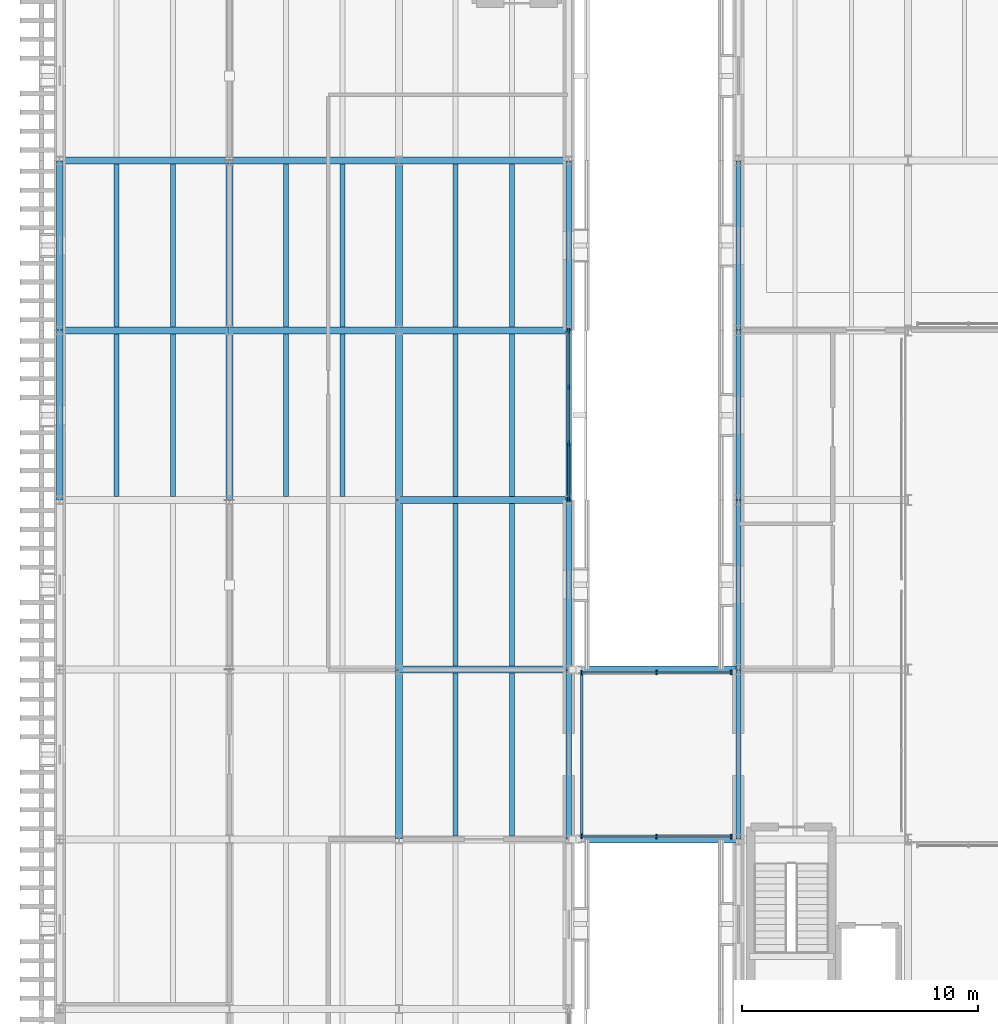
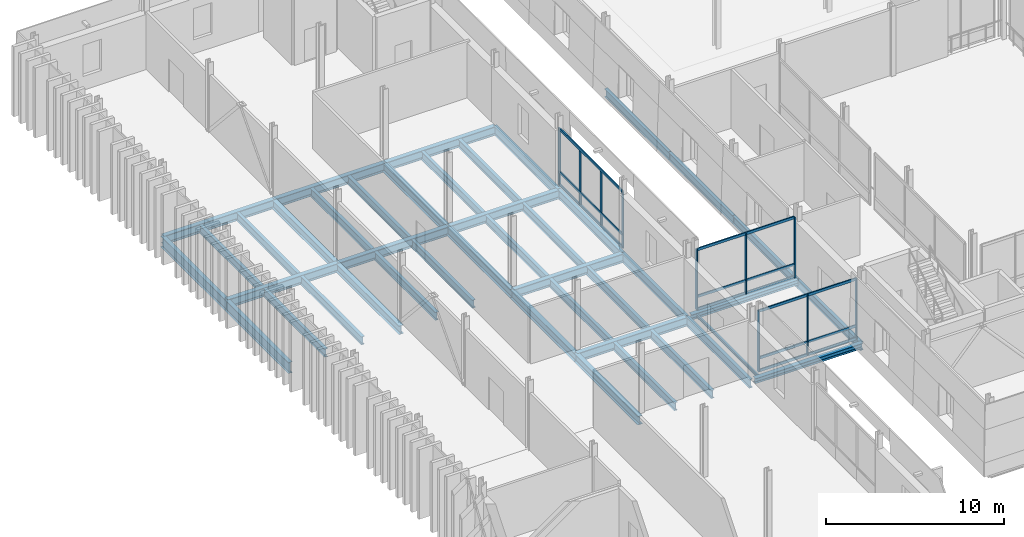
# One storey, part 27 of 121: 43 beams, 19 members, 3 elements without a shape of their own.
"""IFC4 building model written with IfcOpenShell, lengths in metres."""

from ifc_helpers import new_model, si_unit, direction, frame, origin, origin_2d, place, context, subcontext, project, spatial, rectangle, i_section, extrude, material, layer, layer_set, material_profile, profile_set, type_object, element, aggregate, save


model = new_model("IFC4")

# Units and contexts
model_context = context("Model", 3, precision=1e-05, world=origin(), true_north=direction((0.0, 1.0)))
body_context = subcontext(model_context, "Body", "Model", "MODEL_VIEW")
ifc_project = project(units=[si_unit("LENGTHUNIT", "METRE"), si_unit("AREAUNIT", "SQUARE_METRE"), si_unit("VOLUMEUNIT", "CUBIC_METRE"), si_unit("PLANEANGLEUNIT", "RADIAN"), si_unit("MASSUNIT", "GRAM", prefix="KILO")], contexts=[model_context])

# Site, building, storey
site_placement = place(None, origin())
site = spatial("IfcSite", under=ifc_project, at=site_placement, CompositionType="ELEMENT")
building_placement = place(site_placement, origin())
building = spatial("IfcBuilding", under=site, at=building_placement, Name="Narikvali Park Central Library", CompositionType="ELEMENT")
storey_placement = place(building_placement, frame((0.0, 0.0, 5.39990234375)))
storey = spatial("IfcBuildingStorey", under=building, at=storey_placement, Name="L01", CompositionType="ELEMENT", Elevation=5.39990234375)

# Beams
ifc_material_1 = material(Name="Steel S355", Category="steel")
ifc_material_profile_1 = material_profile(ifc_material_1, i_section(OverallWidth=0.300048828125, OverallDepth=0.35009765625, WebThickness=0.010009765625, FlangeThickness=0.017578125, FilletRadius=0.027099609375, at=origin_2d()), Name="HEA 360")
ifc_profile_set_1 = profile_set([ifc_material_profile_1], Name="Steel S355")
beam_type_1 = type_object("IfcBeamType", Name="Bridge Sliding Girder HEA360", PredefinedType="BEAM", material=ifc_profile_set_1)
for number, where, z_axis, x_axis, name in (
    (1, (21.820068359375, 64.800048828125, -0.4248046875), (1.0, 0.0, 0.0), (0.0, 1.0, 0.0), "BRG-1 L01 Sliding Bridge Girder 1-1"),
    (2, (21.820068359375, 72.0, -0.4248046875), (1.0, 0.0, 0.0), (0.0, 1.0, 0.0), "BRG-1 L01 Sliding Bridge Girder 2-1"),
):
    element("IfcBeam", number, at=place(storey_placement, frame(where, z_axis=z_axis, x_axis=x_axis)), inside=storey, type_object=beam_type_1, Name=name, PredefinedType="BEAM", context=body_context, shape_type="SweptSolid", body=[
        extrude(i_section(OverallWidth=0.300048828125, OverallDepth=0.35009765625, WebThickness=0.010009765625, FlangeThickness=0.017578125, FilletRadius=0.027099609375, at=origin_2d()), origin(), (0.0, 0.0, 1.0), 6.969970703125),
    ])

# Curtain wall, members
ifc_material_2 = material(Name="Anodised Bronze Aluminium", Category="aluminium")
ifc_layer_1 = layer(ifc_material_2, 0.219970703125, Name="Anodised Bronze Aluminium")
ifc_layer_set_1 = layer_set([ifc_layer_1], Name="Anodised Bronze Aluminium")
curtain_wall_type_1 = type_object("IfcCurtainWallType", Name="Atrium Tall Curtain Wall System", PredefinedType="NOTDEFINED", material=ifc_layer_set_1)
curtain_wall_1_placement = place(storey_placement, origin())
curtain_wall_1 = element("IfcCurtainWall", 3, at=curtain_wall_1_placement, inside=storey, type_object=curtain_wall_type_1, Name="Atrium Tall Curtain Wall System CW-V5-L01-E-08", PredefinedType="NOTDEFINED")
ifc_material_profile_2 = material_profile(ifc_material_2, rectangle(XDim=0.074951171875, YDim=0.179931640625, at=origin_2d()), Name="CW TRANSOM 75x180")
ifc_profile_set_2 = profile_set([ifc_material_profile_2], Name="Anodised Bronze Aluminium")
member_type_1 = type_object("IfcMemberType", Name="Curtain Wall Heavy Transom 75x180", PredefinedType="USERDEFINED", material=ifc_profile_set_2)
member_1_placement = place(storey_placement, frame((21.60009765625, 79.238037109375, 0.030029296875), z_axis=(0.0, 1.0, 0.0), x_axis=(-1.0, 0.0, 0.0)))
member_1 = element("IfcMember", 4, at=member_1_placement, type_object=member_type_1, Name="CW-V5-L01-E-08 Transom 00", ObjectType="TRANSOM", PredefinedType="USERDEFINED", context=body_context, shape_type="SweptSolid", body=[
    extrude(rectangle(XDim=0.074951171875, YDim=0.179931640625, at=origin_2d()), origin(), (0.0, 0.0, 1.0), 7.1240234375),
])
member_2_placement = place(storey_placement, frame((21.60009765625, 79.238037109375, 0.900146484375), z_axis=(0.0, 1.0, 0.0), x_axis=(-1.0, 0.0, 0.0)))
member_2 = element("IfcMember", 5, at=member_2_placement, type_object=member_type_1, Name="CW-V5-L01-E-08 Transom 01", ObjectType="TRANSOM", PredefinedType="USERDEFINED", context=body_context, shape_type="SweptSolid", body=[
    extrude(rectangle(XDim=0.074951171875, YDim=0.179931640625, at=origin_2d()), origin(), (0.0, 0.0, 1.0), 7.1240234375),
])
member_3_placement = place(storey_placement, frame((21.60009765625, 79.238037109375, 3.85009765625), z_axis=(0.0, 1.0, 0.0), x_axis=(-1.0, 0.0, 0.0)))
member_3 = element("IfcMember", 6, at=member_3_placement, type_object=member_type_1, Name="CW-V5-L01-E-08 Transom 02", ObjectType="TRANSOM", PredefinedType="USERDEFINED", context=body_context, shape_type="SweptSolid", body=[
    extrude(rectangle(XDim=0.074951171875, YDim=0.179931640625, at=origin_2d()), origin(), (0.0, 0.0, 1.0), 7.1240234375),
])

ifc_layer_2 = layer(ifc_material_2, 0.219970703125, Name="Anodised Bronze Aluminium")
ifc_layer_set_2 = layer_set([ifc_layer_2], Name="Anodised Bronze Aluminium")
curtain_wall_type_2 = type_object("IfcCurtainWallType", Name="Bridge Covered Passage Glazing System", PredefinedType="NOTDEFINED", material=ifc_layer_set_2)
curtain_wall_2_placement = place(storey_placement, origin())
curtain_wall_2 = element("IfcCurtainWall", 7, at=curtain_wall_2_placement, inside=storey, type_object=curtain_wall_type_2, Name="Bridge Covered Passage Glazing System CW-BRG-1-L01-S1", PredefinedType="NOTDEFINED")
member_4_placement = place(storey_placement, frame((22.14990234375, 64.919921875, 0.030029296875), z_axis=(1.0, 0.0, 0.0), x_axis=(0.0, 1.0, 0.0)))
member_4 = element("IfcMember", 8, at=member_4_placement, type_object=member_type_1, Name="CW-BRG-1-L01-S1 Transom 00", ObjectType="TRANSOM", PredefinedType="USERDEFINED", context=body_context, shape_type="SweptSolid", body=[
    extrude(rectangle(XDim=0.074951171875, YDim=0.179931640625, at=origin_2d()), origin(), (0.0, 0.0, 1.0), 6.35009765625),
])
member_5_placement = place(storey_placement, frame((22.14990234375, 64.919921875, 0.900146484375), z_axis=(1.0, 0.0, 0.0), x_axis=(0.0, 1.0, 0.0)))
member_5 = element("IfcMember", 9, at=member_5_placement, type_object=member_type_1, Name="CW-BRG-1-L01-S1 Transom 01", ObjectType="TRANSOM", PredefinedType="USERDEFINED", context=body_context, shape_type="SweptSolid", body=[
    extrude(rectangle(XDim=0.074951171875, YDim=0.179931640625, at=origin_2d()), origin(), (0.0, 0.0, 1.0), 6.35009765625),
])
member_6_placement = place(storey_placement, frame((22.14990234375, 64.919921875, 4.1201171875), z_axis=(1.0, 0.0, 0.0), x_axis=(0.0, 1.0, 0.0)))
member_6 = element("IfcMember", 10, at=member_6_placement, type_object=member_type_1, Name="CW-BRG-1-L01-S1 Transom 02", ObjectType="TRANSOM", PredefinedType="USERDEFINED", context=body_context, shape_type="SweptSolid", body=[
    extrude(rectangle(XDim=0.074951171875, YDim=0.179931640625, at=origin_2d()), origin(), (0.0, 0.0, 1.0), 6.35009765625),
])

curtain_wall_3_placement = place(storey_placement, origin())
curtain_wall_3 = element("IfcCurtainWall", 11, at=curtain_wall_3_placement, inside=storey, type_object=curtain_wall_type_2, Name="Bridge Covered Passage Glazing System CW-BRG-1-L01-N1", PredefinedType="NOTDEFINED")
member_7_placement = place(storey_placement, frame((22.14990234375, 71.8798828125, 0.030029296875), z_axis=(1.0, 0.0, 0.0), x_axis=(0.0, 1.0, 0.0)))
member_7 = element("IfcMember", 12, at=member_7_placement, type_object=member_type_1, Name="CW-BRG-1-L01-N1 Transom 00", ObjectType="TRANSOM", PredefinedType="USERDEFINED", context=body_context, shape_type="SweptSolid", body=[
    extrude(rectangle(XDim=0.074951171875, YDim=0.179931640625, at=origin_2d()), origin(), (0.0, 0.0, 1.0), 6.35009765625),
])
member_8_placement = place(storey_placement, frame((22.14990234375, 71.8798828125, 0.900146484375), z_axis=(1.0, 0.0, 0.0), x_axis=(0.0, 1.0, 0.0)))
member_8 = element("IfcMember", 13, at=member_8_placement, type_object=member_type_1, Name="CW-BRG-1-L01-N1 Transom 01", ObjectType="TRANSOM", PredefinedType="USERDEFINED", context=body_context, shape_type="SweptSolid", body=[
    extrude(rectangle(XDim=0.074951171875, YDim=0.179931640625, at=origin_2d()), origin(), (0.0, 0.0, 1.0), 6.35009765625),
])
member_9_placement = place(storey_placement, frame((22.14990234375, 71.8798828125, 4.1201171875), z_axis=(1.0, 0.0, 0.0), x_axis=(0.0, 1.0, 0.0)))
member_9 = element("IfcMember", 14, at=member_9_placement, type_object=member_type_1, Name="CW-BRG-1-L01-N1 Transom 02", ObjectType="TRANSOM", PredefinedType="USERDEFINED", context=body_context, shape_type="SweptSolid", body=[
    extrude(rectangle(XDim=0.074951171875, YDim=0.179931640625, at=origin_2d()), origin(), (0.0, 0.0, 1.0), 6.35009765625),
])

# Member
ifc_material_profile_3 = material_profile(ifc_material_2, rectangle(XDim=0.070068359375, YDim=0.199951171875, at=origin_2d()), Name="CW MULLION 70x200")
ifc_profile_set_3 = profile_set([ifc_material_profile_3], Name="Anodised Bronze Aluminium")
member_type_2 = type_object("IfcMemberType", Name="Curtain Wall Mullion 70x200", PredefinedType="MULLION", material=ifc_profile_set_3)
member_10_placement = place(storey_placement, frame((21.60009765625, 79.238037109375, -0.010009765625), z_axis=(0.0, 0.0, 1.0), x_axis=(1.0, 0.0, 0.0)))
member_10 = element("IfcMember", 15, at=member_10_placement, type_object=member_type_2, Name="CW-V5-L01-E-08 Mullion 00", PredefinedType="MULLION", context=body_context, shape_type="SweptSolid", body=[
    extrude(rectangle(XDim=0.070068359375, YDim=0.199951171875, at=origin_2d()), origin(), (0.0, 0.0, 1.0), 3.89013671875),
])

member_11_placement = place(storey_placement, frame((21.60009765625, 81.61279296875, -0.010009765625), z_axis=(0.0, 0.0, 1.0), x_axis=(1.0, 0.0, 0.0)))
member_11 = element("IfcMember", 16, at=member_11_placement, type_object=member_type_2, Name="CW-V5-L01-E-08 Mullion 01", PredefinedType="MULLION", context=body_context, shape_type="SweptSolid", body=[
    extrude(rectangle(XDim=0.070068359375, YDim=0.199951171875, at=origin_2d()), origin(), (0.0, 0.0, 1.0), 3.89013671875),
])

member_12_placement = place(storey_placement, frame((21.60009765625, 83.9873046875, -0.010009765625), z_axis=(0.0, 0.0, 1.0), x_axis=(1.0, 0.0, 0.0)))
member_12 = element("IfcMember", 17, at=member_12_placement, type_object=member_type_2, Name="CW-V5-L01-E-08 Mullion 02", PredefinedType="MULLION", context=body_context, shape_type="SweptSolid", body=[
    extrude(rectangle(XDim=0.070068359375, YDim=0.199951171875, at=origin_2d()), origin(), (0.0, 0.0, 1.0), 3.89013671875),
])

member_13_placement = place(storey_placement, frame((21.60009765625, 86.362060546875, -0.010009765625), z_axis=(0.0, 0.0, 1.0), x_axis=(1.0, 0.0, 0.0)))
member_13 = element("IfcMember", 18, at=member_13_placement, type_object=member_type_2, Name="CW-V5-L01-E-08 Mullion 03", PredefinedType="MULLION", context=body_context, shape_type="SweptSolid", body=[
    extrude(rectangle(XDim=0.070068359375, YDim=0.199951171875, at=origin_2d()), origin(), (0.0, 0.0, 1.0), 3.89013671875),
])

aggregate(curtain_wall_1, [member_10, member_11, member_12, member_13, member_1, member_2, member_3])

member_14_placement = place(storey_placement, frame((22.14990234375, 64.919921875, -0.010009765625), z_axis=(0.0, 0.0, 1.0), x_axis=(1.0, 0.0, 0.0)))
member_14 = element("IfcMember", 19, at=member_14_placement, type_object=member_type_2, Name="CW-BRG-1-L01-S1 Mullion 00", PredefinedType="MULLION", context=body_context, shape_type="SweptSolid", body=[
    extrude(rectangle(XDim=0.070068359375, YDim=0.199951171875, at=origin_2d()), origin(), (0.0, 0.0, 1.0), 4.16015625),
])

member_15_placement = place(storey_placement, frame((25.324951171875, 64.919921875, -0.010009765625), z_axis=(0.0, 0.0, 1.0), x_axis=(1.0, 0.0, 0.0)))
member_15 = element("IfcMember", 20, at=member_15_placement, type_object=member_type_2, Name="CW-BRG-1-L01-S1 Mullion 01", PredefinedType="MULLION", context=body_context, shape_type="SweptSolid", body=[
    extrude(rectangle(XDim=0.070068359375, YDim=0.199951171875, at=origin_2d()), origin(), (0.0, 0.0, 1.0), 4.16015625),
])

member_16_placement = place(storey_placement, frame((28.5, 64.919921875, -0.010009765625), z_axis=(0.0, 0.0, 1.0), x_axis=(1.0, 0.0, 0.0)))
member_16 = element("IfcMember", 21, at=member_16_placement, type_object=member_type_2, Name="CW-BRG-1-L01-S1 Mullion 02", PredefinedType="MULLION", context=body_context, shape_type="SweptSolid", body=[
    extrude(rectangle(XDim=0.070068359375, YDim=0.199951171875, at=origin_2d()), origin(), (0.0, 0.0, 1.0), 4.16015625),
])

aggregate(curtain_wall_2, [member_14, member_15, member_16, member_4, member_5, member_6])

member_17_placement = place(storey_placement, frame((22.14990234375, 71.8798828125, -0.010009765625), z_axis=(0.0, 0.0, 1.0), x_axis=(1.0, 0.0, 0.0)))
member_17 = element("IfcMember", 22, at=member_17_placement, type_object=member_type_2, Name="CW-BRG-1-L01-N1 Mullion 00", PredefinedType="MULLION", context=body_context, shape_type="SweptSolid", body=[
    extrude(rectangle(XDim=0.070068359375, YDim=0.199951171875, at=origin_2d()), origin(), (0.0, 0.0, 1.0), 4.16015625),
])

member_18_placement = place(storey_placement, frame((25.324951171875, 71.8798828125, -0.010009765625), z_axis=(0.0, 0.0, 1.0), x_axis=(1.0, 0.0, 0.0)))
member_18 = element("IfcMember", 23, at=member_18_placement, type_object=member_type_2, Name="CW-BRG-1-L01-N1 Mullion 01", PredefinedType="MULLION", context=body_context, shape_type="SweptSolid", body=[
    extrude(rectangle(XDim=0.070068359375, YDim=0.199951171875, at=origin_2d()), origin(), (0.0, 0.0, 1.0), 4.16015625),
])

member_19_placement = place(storey_placement, frame((28.5, 71.8798828125, -0.010009765625), z_axis=(0.0, 0.0, 1.0), x_axis=(1.0, 0.0, 0.0)))
member_19 = element("IfcMember", 24, at=member_19_placement, type_object=member_type_2, Name="CW-BRG-1-L01-N1 Mullion 02", PredefinedType="MULLION", context=body_context, shape_type="SweptSolid", body=[
    extrude(rectangle(XDim=0.070068359375, YDim=0.199951171875, at=origin_2d()), origin(), (0.0, 0.0, 1.0), 4.16015625),
])

aggregate(curtain_wall_3, [member_17, member_18, member_19, member_7, member_8, member_9])

# Beams
ifc_material_profile_4 = material_profile(ifc_material_1, i_section(OverallWidth=0.264892578125, OverallDepth=0.7529296875, WebThickness=0.01318359375, FlangeThickness=0.01708984375, FilletRadius=0.01708984375, at=origin_2d()), Name="IPE 750x147")
ifc_profile_set_4 = profile_set([ifc_material_profile_4], Name="Steel S355")
beam_type_2 = type_object("IfcBeamType", Name="Fin Facade Spandrel IPE750", PredefinedType="SPANDREL", material=ifc_profile_set_4)
for number, where, z_axis, x_axis, name in (
    (25, (0.0, 79.2080078125, -0.676513671875), (0.0, 1.0, 0.0), (-1.0, 0.0, 0.0), "V5 L01 Girder Y"),
    (26, (0.0, 86.407958984375, -0.676513671875), (0.0, 1.0, 0.0), (-1.0, 0.0, 0.0), "V5 L01 Girder Y"),
):
    element("IfcBeam", number, at=place(storey_placement, frame(where, z_axis=z_axis, x_axis=x_axis)), inside=storey, type_object=beam_type_2, Name=name, PredefinedType="SPANDREL", context=body_context, shape_type="SweptSolid", body=[
        extrude(i_section(OverallWidth=0.264892578125, OverallDepth=0.7529296875, WebThickness=0.01318359375, FlangeThickness=0.01708984375, FilletRadius=0.01708984375, at=origin_2d()), origin(), (0.0, 0.0, 1.0), 7.18408203125),
    ])
ifc_material_profile_5 = material_profile(ifc_material_1, i_section(OverallWidth=0.2119140625, OverallDepth=0.555908203125, WebThickness=0.0126953125, FlangeThickness=0.020263671875, FilletRadius=0.02392578125, at=origin_2d()), Name="IPEO 550")
ifc_profile_set_5 = profile_set([ifc_material_profile_5], Name="Steel S355")
beam_type_3 = type_object("IfcBeamType", Name="Heavy Stack Joist IPEO550", PredefinedType="JOIST", material=ifc_profile_set_5)
for number, where, z_axis, x_axis, name in (
    (27, (2.39990234375, 79.35009765625, -0.577880859375), (0.0, 1.0, 0.0), (-1.0, 0.0, 0.0), "V5 L01 Composite Joist 1"),
    (28, (4.800048828125, 79.35009765625, -0.577880859375), (0.0, 1.0, 0.0), (-1.0, 0.0, 0.0), "V5 L01 Composite Joist 2"),
    (29, (2.39990234375, 86.550048828125, -0.577880859375), (0.0, 1.0, 0.0), (-1.0, 0.0, 0.0), "V5 L01 Composite Joist 1"),
    (30, (4.800048828125, 86.550048828125, -0.577880859375), (0.0, 1.0, 0.0), (-1.0, 0.0, 0.0), "V5 L01 Composite Joist 2"),
    (31, (9.60009765625, 79.35009765625, -0.577880859375), (0.0, 1.0, 0.0), (-1.0, 0.0, 0.0), "V5 L01 Composite Joist 1"),
    (32, (12.0, 79.35009765625, -0.577880859375), (0.0, 1.0, 0.0), (-1.0, 0.0, 0.0), "V5 L01 Composite Joist 2"),
    (33, (9.60009765625, 86.550048828125, -0.577880859375), (0.0, 1.0, 0.0), (-1.0, 0.0, 0.0), "V5 L01 Composite Joist 1"),
    (34, (12.0, 86.550048828125, -0.577880859375), (0.0, 1.0, 0.0), (-1.0, 0.0, 0.0), "V5 L01 Composite Joist 2"),
):
    element("IfcBeam", number, at=place(storey_placement, frame(where, z_axis=z_axis, x_axis=x_axis)), inside=storey, type_object=beam_type_3, Name=name, PredefinedType="JOIST", context=body_context, shape_type="SweptSolid", body=[
        extrude(i_section(OverallWidth=0.2119140625, OverallDepth=0.555908203125, WebThickness=0.0126953125, FlangeThickness=0.020263671875, FilletRadius=0.02392578125, at=origin_2d()), origin(), (0.0, 0.0, 1.0), 6.89990234375),
    ])
for number, where, z_axis, x_axis, name in (
    (35, (16.800048828125, 64.949951171875, -0.577880859375), (0.0, 1.0, 0.0), (-1.0, 0.0, 0.0), "V5 L01 Composite Joist 1"),
    (36, (19.199951171875, 64.949951171875, -0.577880859375), (0.0, 1.0, 0.0), (-1.0, 0.0, 0.0), "V5 L01 Composite Joist 2"),
    (37, (16.800048828125, 72.14990234375, -0.577880859375), (0.0, 1.0, 0.0), (-1.0, 0.0, 0.0), "V5 L01 Composite Joist 1"),
    (38, (19.199951171875, 72.14990234375, -0.577880859375), (0.0, 1.0, 0.0), (-1.0, 0.0, 0.0), "V5 L01 Composite Joist 2"),
):
    element("IfcBeam", number, at=place(storey_placement, frame(where, z_axis=z_axis, x_axis=x_axis)), inside=storey, type_object=beam_type_3, Name=name, PredefinedType="JOIST", context=body_context, shape_type="SweptSolid", body=[
        extrude(i_section(OverallWidth=0.2119140625, OverallDepth=0.555908203125, WebThickness=0.0126953125, FlangeThickness=0.020263671875, FilletRadius=0.02392578125, at=origin_2d()), origin(), (0.0, 0.0, 1.0), 6.900146484375),
    ])
for number, where, z_axis, x_axis, name in (
    (39, (16.800048828125, 79.35009765625, -0.577880859375), (0.0, 1.0, 0.0), (-1.0, 0.0, 0.0), "V5 L01 Composite Joist 1"),
    (40, (19.199951171875, 79.35009765625, -0.577880859375), (0.0, 1.0, 0.0), (-1.0, 0.0, 0.0), "V5 L01 Composite Joist 2"),
    (41, (16.800048828125, 86.550048828125, -0.577880859375), (0.0, 1.0, 0.0), (-1.0, 0.0, 0.0), "V5 L01 Composite Joist 1"),
    (42, (19.199951171875, 86.550048828125, -0.577880859375), (0.0, 1.0, 0.0), (-1.0, 0.0, 0.0), "V5 L01 Composite Joist 2"),
):
    element("IfcBeam", number, at=place(storey_placement, frame(where, z_axis=z_axis, x_axis=x_axis)), inside=storey, type_object=beam_type_3, Name=name, PredefinedType="JOIST", context=body_context, shape_type="SweptSolid", body=[
        extrude(i_section(OverallWidth=0.2119140625, OverallDepth=0.555908203125, WebThickness=0.0126953125, FlangeThickness=0.020263671875, FilletRadius=0.02392578125, at=origin_2d()), origin(), (0.0, 0.0, 1.0), 6.89990234375),
    ])
ifc_material_profile_6 = material_profile(ifc_material_1, i_section(OverallWidth=0.2099609375, OverallDepth=0.550048828125, WebThickness=0.010986328125, FlangeThickness=0.01708984375, FilletRadius=0.02392578125, at=origin_2d()), Name="IPE 550")
ifc_profile_set_6 = profile_set([ifc_material_profile_6], Name="Steel S355")
beam_type_4 = type_object("IfcBeamType", Name="Perimeter Spandrel IPE550", PredefinedType="SPANDREL", material=ifc_profile_set_6)
for number, where, z_axis, x_axis, name in (
    (43, (28.800048828125, 64.80810546875, -0.554931640625), (0.0, 1.0, 0.0), (-1.0, 0.0, 0.0), "V4 L01 Girder Y"),
    (44, (28.800048828125, 72.008056640625, -0.554931640625), (0.0, 1.0, 0.0), (-1.0, 0.0, 0.0), "V4 L01 Girder Y"),
):
    element("IfcBeam", number, at=place(storey_placement, frame(where, z_axis=z_axis, x_axis=x_axis)), inside=storey, type_object=beam_type_4, Name=name, PredefinedType="SPANDREL", context=body_context, shape_type="SweptSolid", body=[
        extrude(i_section(OverallWidth=0.2099609375, OverallDepth=0.550048828125, WebThickness=0.010986328125, FlangeThickness=0.01708984375, FilletRadius=0.02392578125, at=origin_2d()), origin(), (0.0, 0.0, 1.0), 7.183837890625),
    ])
for number, where, z_axis, x_axis, name in (
    (45, (28.800048828125, 79.2080078125, -0.554931640625), (0.0, 1.0, 0.0), (-1.0, 0.0, 0.0), "V4 L01 Girder Y"),
    (46, (28.800048828125, 86.407958984375, -0.554931640625), (0.0, 1.0, 0.0), (-1.0, 0.0, 0.0), "V4 L01 Girder Y"),
):
    element("IfcBeam", number, at=place(storey_placement, frame(where, z_axis=z_axis, x_axis=x_axis)), inside=storey, type_object=beam_type_4, Name=name, PredefinedType="SPANDREL", context=body_context, shape_type="SweptSolid", body=[
        extrude(i_section(OverallWidth=0.2099609375, OverallDepth=0.550048828125, WebThickness=0.010986328125, FlangeThickness=0.01708984375, FilletRadius=0.02392578125, at=origin_2d()), origin(), (0.0, 0.0, 1.0), 7.18408203125),
    ])
ifc_material_profile_7 = material_profile(ifc_material_1, i_section(OverallWidth=0.219970703125, OverallDepth=0.60009765625, WebThickness=0.011962890625, FlangeThickness=0.01904296875, FilletRadius=0.02392578125, at=origin_2d()), Name="IPE 600")
ifc_profile_set_7 = profile_set([ifc_material_profile_7], Name="Steel S355")
beam_type_5 = type_object("IfcBeamType", Name="Perimeter Spandrel IPE600", PredefinedType="SPANDREL", material=ifc_profile_set_7)
for number, where, z_axis, x_axis, name in (
    (47, (21.60009765625, 64.80810546875, -0.599853515625), (0.0, 1.0, 0.0), (-1.0, 0.0, 0.0), "V5 L01 Girder Y"),
    (48, (21.60009765625, 72.008056640625, -0.599853515625), (0.0, 1.0, 0.0), (-1.0, 0.0, 0.0), "V5 L01 Girder Y"),
):
    element("IfcBeam", number, at=place(storey_placement, frame(where, z_axis=z_axis, x_axis=x_axis)), inside=storey, type_object=beam_type_5, Name=name, PredefinedType="SPANDREL", context=body_context, shape_type="SweptSolid", body=[
        extrude(i_section(OverallWidth=0.219970703125, OverallDepth=0.60009765625, WebThickness=0.011962890625, FlangeThickness=0.01904296875, FilletRadius=0.02392578125, at=origin_2d()), origin(), (0.0, 0.0, 1.0), 7.183837890625),
    ])
for number, where, z_axis, x_axis, name in (
    (49, (21.60009765625, 79.2080078125, -0.599853515625), (0.0, 1.0, 0.0), (-1.0, 0.0, 0.0), "V5 L01 Girder Y"),
    (50, (21.60009765625, 86.407958984375, -0.599853515625), (0.0, 1.0, 0.0), (-1.0, 0.0, 0.0), "V5 L01 Girder Y"),
):
    element("IfcBeam", number, at=place(storey_placement, frame(where, z_axis=z_axis, x_axis=x_axis)), inside=storey, type_object=beam_type_5, Name=name, PredefinedType="SPANDREL", context=body_context, shape_type="SweptSolid", body=[
        extrude(i_section(OverallWidth=0.219970703125, OverallDepth=0.60009765625, WebThickness=0.011962890625, FlangeThickness=0.01904296875, FilletRadius=0.02392578125, at=origin_2d()), origin(), (0.0, 0.0, 1.0), 7.18408203125),
    ])
ifc_material_profile_8 = material_profile(ifc_material_1, i_section(OverallWidth=0.110107421875, OverallDepth=0.219970703125, WebThickness=0.005859375, FlangeThickness=0.00927734375, FilletRadius=0.011962890625, at=origin_2d()), Name="IPE 220")
ifc_profile_set_8 = profile_set([ifc_material_profile_8], Name="Steel S355")
beam_type_6 = type_object("IfcBeamType", Name="Portal Steel Lintel IPE220", PredefinedType="LINTEL", material=ifc_profile_set_8)
beam_1_placement = place(storey_placement, frame((22.14990234375, 64.9599609375, -0.35986328125), z_axis=(0.0, 1.0, 0.0), x_axis=(-1.0, 0.0, 0.0)))
element("IfcBeam", 51, at=beam_1_placement, inside=storey, type_object=beam_type_6, Name="BRG-1 L01 Portal Transverse Lintel", PredefinedType="LINTEL", context=body_context, shape_type="SweptSolid", body=[
    extrude(i_section(OverallWidth=0.110107421875, OverallDepth=0.219970703125, WebThickness=0.005859375, FlangeThickness=0.00927734375, FilletRadius=0.011962890625, at=origin_2d()), origin(), (0.0, 0.0, 1.0), 6.880126953125),
])
ifc_material_profile_9 = material_profile(ifc_material_1, i_section(OverallWidth=0.300048828125, OverallDepth=0.590087890625, WebThickness=0.012939453125, FlangeThickness=0.02490234375, FilletRadius=0.027099609375, at=origin_2d()), Name="HEA 600")
ifc_profile_set_9 = profile_set([ifc_material_profile_9], Name="Steel S355")
beam_type_7 = type_object("IfcBeamType", Name="Primary Girder HEA600", PredefinedType="BEAM", material=ifc_profile_set_9)
for number, where, z_axis, x_axis, name in (
    (52, (7.199951171875, 79.2080078125, -0.594970703125), (0.0, 1.0, 0.0), (-1.0, 0.0, 0.0), "V5 L01 Girder Y"),
    (53, (7.199951171875, 86.407958984375, -0.594970703125), (0.0, 1.0, 0.0), (-1.0, 0.0, 0.0), "V5 L01 Girder Y"),
):
    element("IfcBeam", number, at=place(storey_placement, frame(where, z_axis=z_axis, x_axis=x_axis)), inside=storey, type_object=beam_type_7, Name=name, PredefinedType="BEAM", context=body_context, shape_type="SweptSolid", body=[
        extrude(i_section(OverallWidth=0.300048828125, OverallDepth=0.590087890625, WebThickness=0.012939453125, FlangeThickness=0.02490234375, FilletRadius=0.027099609375, at=origin_2d()), origin(), (0.0, 0.0, 1.0), 7.18408203125),
    ])
for number, where, z_axis, x_axis, name in (
    (54, (14.39990234375, 64.80810546875, -0.594970703125), (0.0, 1.0, 0.0), (-1.0, 0.0, 0.0), "V5 L01 Girder Y"),
    (55, (14.39990234375, 72.008056640625, -0.594970703125), (0.0, 1.0, 0.0), (-1.0, 0.0, 0.0), "V5 L01 Girder Y"),
):
    element("IfcBeam", number, at=place(storey_placement, frame(where, z_axis=z_axis, x_axis=x_axis)), inside=storey, type_object=beam_type_7, Name=name, PredefinedType="BEAM", context=body_context, shape_type="SweptSolid", body=[
        extrude(i_section(OverallWidth=0.300048828125, OverallDepth=0.590087890625, WebThickness=0.012939453125, FlangeThickness=0.02490234375, FilletRadius=0.027099609375, at=origin_2d()), origin(), (0.0, 0.0, 1.0), 7.183837890625),
    ])
for number, where, z_axis, x_axis, name in (
    (56, (14.39990234375, 79.2080078125, -0.594970703125), (0.0, 1.0, 0.0), (-1.0, 0.0, 0.0), "V5 L01 Girder Y"),
    (57, (14.39990234375, 86.407958984375, -0.594970703125), (0.0, 1.0, 0.0), (-1.0, 0.0, 0.0), "V5 L01 Girder Y"),
):
    element("IfcBeam", number, at=place(storey_placement, frame(where, z_axis=z_axis, x_axis=x_axis)), inside=storey, type_object=beam_type_7, Name=name, PredefinedType="BEAM", context=body_context, shape_type="SweptSolid", body=[
        extrude(i_section(OverallWidth=0.300048828125, OverallDepth=0.590087890625, WebThickness=0.012939453125, FlangeThickness=0.02490234375, FilletRadius=0.027099609375, at=origin_2d()), origin(), (0.0, 0.0, 1.0), 7.18408203125),
    ])
ifc_material_profile_10 = material_profile(ifc_material_1, i_section(OverallWidth=0.300048828125, OverallDepth=0.60009765625, WebThickness=0.015380859375, FlangeThickness=0.030029296875, FilletRadius=0.027099609375, at=origin_2d()), Name="HEB 600")
ifc_profile_set_10 = profile_set([ifc_material_profile_10], Name="Steel S355")
beam_type_8 = type_object("IfcBeamType", Name="Primary Stack Girder HEB600", PredefinedType="BEAM", material=ifc_profile_set_10)
for number, where, z_axis, x_axis, name in (
    (58, (14.407958984375, 72.0, -0.599853515625), (1.0, 0.0, 0.0), (0.0, 1.0, 0.0), "V5 L01 Girder X"),
    (59, (14.407958984375, 79.199951171875, -0.599853515625), (1.0, 0.0, 0.0), (0.0, 1.0, 0.0), "V5 L01 Girder X"),
):
    element("IfcBeam", number, at=place(storey_placement, frame(where, z_axis=z_axis, x_axis=x_axis)), inside=storey, type_object=beam_type_8, Name=name, PredefinedType="BEAM", context=body_context, shape_type="SweptSolid", body=[
        extrude(i_section(OverallWidth=0.300048828125, OverallDepth=0.60009765625, WebThickness=0.015380859375, FlangeThickness=0.030029296875, FilletRadius=0.027099609375, at=origin_2d()), origin(), (0.0, 0.0, 1.0), 7.18408203125),
    ])
beam_2_placement = place(storey_placement, frame((0.008056640625, 86.39990234375, -0.599853515625), z_axis=(1.0, 0.0, 0.0), x_axis=(0.0, 1.0, 0.0)))
element("IfcBeam", 60, at=beam_2_placement, inside=storey, type_object=beam_type_8, Name="V5 L01 Girder X", PredefinedType="BEAM", context=body_context, shape_type="SweptSolid", body=[
    extrude(i_section(OverallWidth=0.300048828125, OverallDepth=0.60009765625, WebThickness=0.015380859375, FlangeThickness=0.030029296875, FilletRadius=0.027099609375, at=origin_2d()), origin(), (0.0, 0.0, 1.0), 7.183837890625),
])
for number, where, z_axis, x_axis, name in (
    (61, (7.2080078125, 86.39990234375, -0.599853515625), (1.0, 0.0, 0.0), (0.0, 1.0, 0.0), "V5 L01 Girder X"),
    (62, (14.407958984375, 86.39990234375, -0.599853515625), (1.0, 0.0, 0.0), (0.0, 1.0, 0.0), "V5 L01 Girder X"),
):
    element("IfcBeam", number, at=place(storey_placement, frame(where, z_axis=z_axis, x_axis=x_axis)), inside=storey, type_object=beam_type_8, Name=name, PredefinedType="BEAM", context=body_context, shape_type="SweptSolid", body=[
        extrude(i_section(OverallWidth=0.300048828125, OverallDepth=0.60009765625, WebThickness=0.015380859375, FlangeThickness=0.030029296875, FilletRadius=0.027099609375, at=origin_2d()), origin(), (0.0, 0.0, 1.0), 7.18408203125),
    ])
beam_3_placement = place(storey_placement, frame((0.008056640625, 93.60009765625, -0.599853515625), z_axis=(1.0, 0.0, 0.0), x_axis=(0.0, 1.0, 0.0)))
element("IfcBeam", 63, at=beam_3_placement, inside=storey, type_object=beam_type_8, Name="V5 L01 Girder X", PredefinedType="BEAM", context=body_context, shape_type="SweptSolid", body=[
    extrude(i_section(OverallWidth=0.300048828125, OverallDepth=0.60009765625, WebThickness=0.015380859375, FlangeThickness=0.030029296875, FilletRadius=0.027099609375, at=origin_2d()), origin(), (0.0, 0.0, 1.0), 7.183837890625),
])
for number, where, z_axis, x_axis, name in (
    (64, (7.2080078125, 93.60009765625, -0.599853515625), (1.0, 0.0, 0.0), (0.0, 1.0, 0.0), "V5 L01 Girder X"),
    (65, (14.407958984375, 93.60009765625, -0.599853515625), (1.0, 0.0, 0.0), (0.0, 1.0, 0.0), "V5 L01 Girder X"),
):
    element("IfcBeam", number, at=place(storey_placement, frame(where, z_axis=z_axis, x_axis=x_axis)), inside=storey, type_object=beam_type_8, Name=name, PredefinedType="BEAM", context=body_context, shape_type="SweptSolid", body=[
        extrude(i_section(OverallWidth=0.300048828125, OverallDepth=0.60009765625, WebThickness=0.015380859375, FlangeThickness=0.030029296875, FilletRadius=0.027099609375, at=origin_2d()), origin(), (0.0, 0.0, 1.0), 7.18408203125),
    ])

save(model, "model.ifc")
